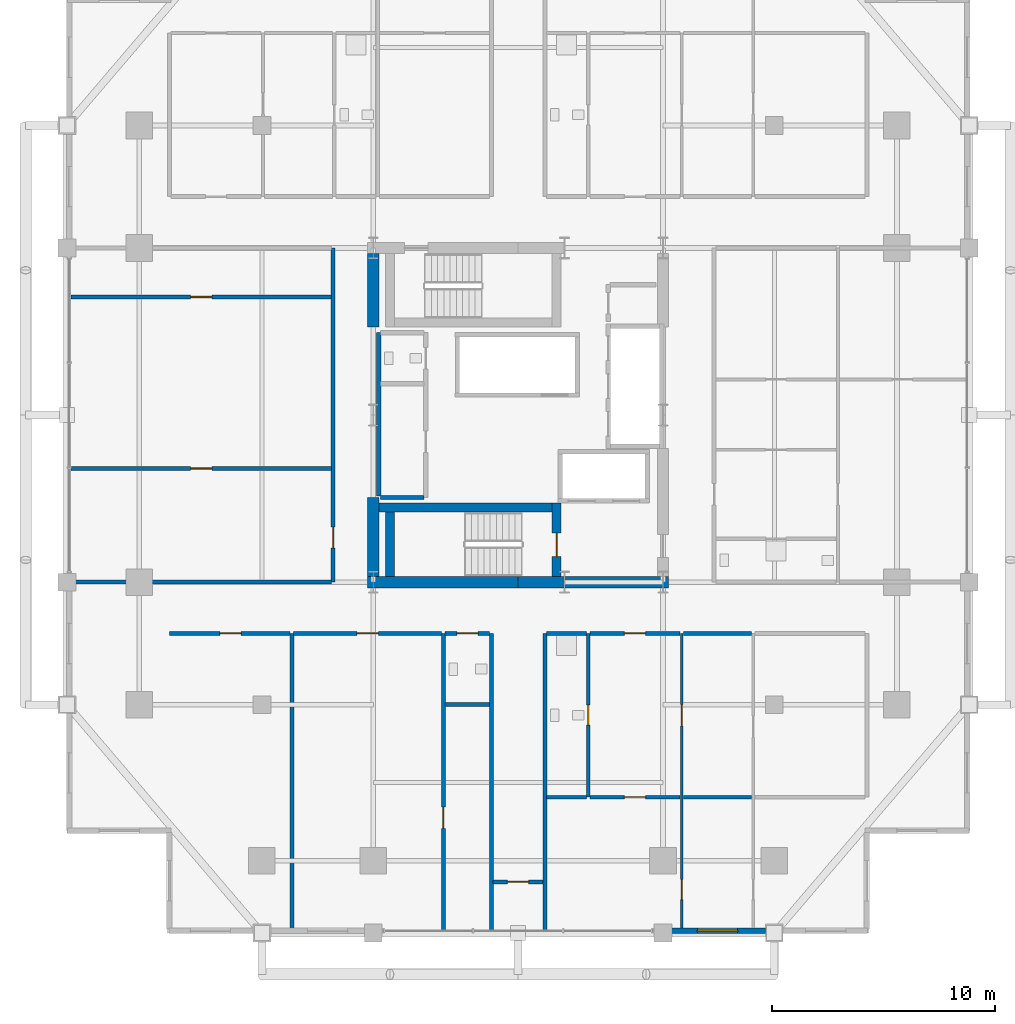
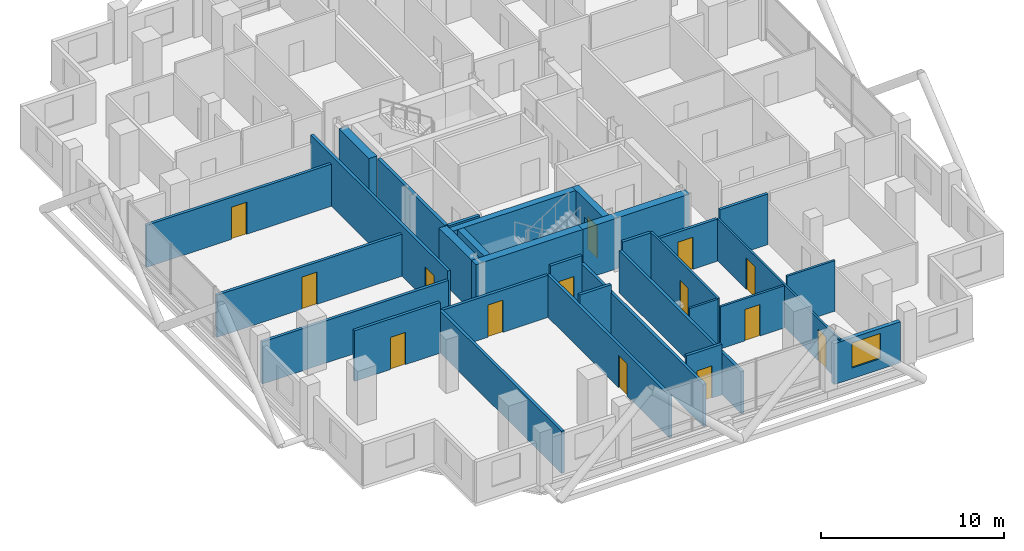
# One storey, part 19 of 25: 31 walls, 14 doors, 1 window, 15 openings.
"""IFC4 building model written with IfcOpenShell, lengths in metres."""

from ifc_helpers import new_model, si_unit, direction, frame, frame_2d, origin, place, context, subcontext, project, spatial, rectangle, extrude, material, layer, layer_set, type_object, element, fill, save


model = new_model("IFC4")

# Units and contexts
model_context = context("Model", 3, precision=1e-05, world=origin(), true_north=direction((0.0, 1.0)))
body_context = subcontext(model_context, "Body", "Model", "MODEL_VIEW")
ifc_project = project(units=[si_unit("LENGTHUNIT", "METRE"), si_unit("AREAUNIT", "SQUARE_METRE"), si_unit("VOLUMEUNIT", "CUBIC_METRE"), si_unit("PLANEANGLEUNIT", "RADIAN"), si_unit("MASSUNIT", "GRAM", prefix="KILO")], contexts=[model_context])

# Site, building, storey
site_placement = place(None, origin())
site = spatial("IfcSite", under=ifc_project, at=site_placement, CompositionType="ELEMENT")
building_placement = place(site_placement, origin())
building = spatial("IfcBuilding", under=site, at=building_placement, Name="Barlavira Tower and Art Museum", CompositionType="ELEMENT")
storey_placement = place(building_placement, frame((0.0, 0.0, 144.0)))
storey = spatial("IfcBuildingStorey", under=building, at=storey_placement, Name="L36", CompositionType="ELEMENT", Elevation=144.0)

# Wall, openings, doors
ifc_material_1 = material(Name="Gypsum acoustic stud partition", Category="gypsum")
ifc_layer_1 = layer(ifc_material_1, 0.1201171875, Name="Gypsum acoustic stud partition")
ifc_layer_set_1 = layer_set([ifc_layer_1], Name="Gypsum acoustic stud partition")
wall_type_1 = type_object("IfcWallType", Name="Apartment Internal Acoustic Partition 120", PredefinedType="PARTITIONING", material=ifc_layer_set_1)
wall_1_placement = place(storey_placement, frame((7.35009765625, -23.14990234375, 0.0), z_axis=(0.0, 0.0, 1.0), x_axis=(0.0, 1.0, 0.0)))
wall_1 = element("IfcWall", 1, at=wall_1_placement, inside=storey, type_object=wall_type_1, Name="L36 Partition Wall 17", PredefinedType="PARTITIONING", context=body_context, shape_type="SweptSolid", body=[
    extrude(rectangle(XDim=13.349853515625, YDim=0.1201171875, at=frame_2d((6.6748046875, 0.0))), origin(), (0.0, 0.0, 1.0), 2.81591796875),
])
opening_1_placement = place(wall_1_placement, frame((9.205078125, 0.0, 0.0)))
opening_1 = element("IfcOpeningElement", 2, at=opening_1_placement, cuts=wall_1, Name="Opening D-02", PredefinedType="OPENING", context=body_context, shape_type="SweptSolid", body=[
    extrude(rectangle(XDim=0.949951171875, YDim=2.10009765625, at=frame_2d((0.47509765625, 1.050048828125))), frame((0.0, 0.070068359375, 0.0), z_axis=(0.0, -1.0, 0.0), x_axis=(1.0, 0.0, 0.0)), (0.0, 0.0, 1.0), 0.14013671875),
])
opening_2_placement = place(wall_1_placement, frame((1.39892578125, 0.0, 0.0)))
opening_2 = element("IfcOpeningElement", 3, at=opening_2_placement, cuts=wall_1, Name="Opening D-01", PredefinedType="OPENING", context=body_context, shape_type="SweptSolid", body=[
    extrude(rectangle(XDim=0.89990234375, YDim=2.10009765625, at=frame_2d((0.449951171875, 1.050048828125))), frame((0.0, 0.070068359375, 0.0), z_axis=(0.0, -1.0, 0.0), x_axis=(1.0, 0.0, 0.0)), (0.0, 0.0, 1.0), 0.14013671875),
])
ifc_material_2 = material(Name="Engineered coastal hardwood", Category="wood")
door_type_1 = type_object("IfcDoorType", Name="Internal Bedroom Timber Flush Door 900x2100", OperationType="NOTDEFINED", PredefinedType="DOOR", material=ifc_material_2)
door_1_placement = place(opening_2_placement, origin())
door_1 = element("IfcDoor", 4, at=door_1_placement, inside=storey, type_object=door_type_1, Name="Apartment SE1 Bedroom 1 Door", OperationType="SINGLE_SWING_RIGHT", OverallHeight=2.10009765625, OverallWidth=0.89990234375, PredefinedType="DOOR", context=body_context, shape_type="SweptSolid", body=[
    extrude(rectangle(XDim=0.89990234375, YDim=2.10009765625, at=frame_2d((0.449951171875, 1.050048828125))), frame((0.0, 0.02490234375, 0.0), z_axis=(0.0, -1.0, 0.0), x_axis=(1.0, 0.0, 0.0)), (0.0, 0.0, 1.0), 0.050048828125),
])
fill(opening_2, door_1)
door_type_2 = type_object("IfcDoorType", Name="Living and Salon Glazed-Leaf Door 950x2100", OperationType="NOTDEFINED", PredefinedType="DOOR", material=ifc_material_2)
door_2_placement = place(opening_1_placement, origin())
door_2 = element("IfcDoor", 5, at=door_2_placement, inside=storey, type_object=door_type_2, Name="Apartment SE1 Kitchen Door", OperationType="SINGLE_SWING_LEFT", OverallHeight=2.10009765625, OverallWidth=0.949951171875, PredefinedType="DOOR", context=body_context, shape_type="SweptSolid", body=[
    extrude(rectangle(XDim=0.949951171875, YDim=2.10009765625, at=frame_2d((0.47509765625, 1.050048828125))), frame((0.0, 0.02490234375, 0.0), z_axis=(0.0, -1.0, 0.0), x_axis=(1.0, 0.0, 0.0)), (0.0, 0.0, 1.0), 0.050048828125),
])
fill(opening_1, door_2)

# Walls
ifc_material_3 = material(Name="Concrete C60", Category="concrete")
ifc_layer_2 = layer(ifc_material_3, 0.5, Name="Concrete C60")
ifc_layer_set_2 = layer_set([ifc_layer_2], Name="Concrete C60")
wall_type_2 = type_object("IfcWallType", Name="Core Structural Shear Wall 500 Concrete C60", PredefinedType="SHEAR", material=ifc_layer_set_2)
for number, where, z_axis, x_axis, name in (
    (6, (-6.75, -7.5, 0.0), (0.0, 0.0, 1.0), (1.0, 0.0, 0.0), "L36 Core Shear Wall CS-SW"),
    (7, (0.0, -7.5, 0.0), (0.0, 0.0, 1.0), (1.0, 0.0, 0.0), "L36 Core Shear Wall CS-SE"),
):
    element("IfcWall", number, at=place(storey_placement, frame(where, z_axis=z_axis, x_axis=x_axis)), inside=storey, type_object=wall_type_2, Name=name, PredefinedType="SHEAR", context=body_context, shape_type="SweptSolid", body=[
        extrude(rectangle(XDim=6.75, YDim=0.5, at=frame_2d((3.375, 0.0))), origin(), (0.0, 0.0, 1.0), 3.3798828125),
    ])
wall_2_placement = place(storey_placement, frame((-6.5, -7.25, 0.0), z_axis=(0.0, 0.0, 1.0), x_axis=(0.0, 1.0, 0.0)))
element("IfcWall", 8, at=wall_2_placement, inside=storey, type_object=wall_type_2, Name="L36 Core Shear Wall CS-W1", PredefinedType="SHEAR", context=body_context, shape_type="SweptSolid", body=[
    extrude(rectangle(XDim=3.550048828125, YDim=0.5, at=frame_2d((1.77490234375, 0.0))), origin(), (0.0, 0.0, 1.0), 3.3798828125),
])
wall_3_placement = place(storey_placement, frame((-6.5, 3.949951171875, 0.0), z_axis=(0.0, 0.0, 1.0), x_axis=(0.0, 1.0, 0.0)))
element("IfcWall", 9, at=wall_3_placement, inside=storey, type_object=wall_type_2, Name="L36 Core Shear Wall CS-W2", PredefinedType="SHEAR", context=body_context, shape_type="SweptSolid", body=[
    extrude(rectangle(XDim=3.300048828125, YDim=0.5, at=frame_2d((1.64990234375, 0.0))), origin(), (0.0, 0.0, 1.0), 3.3798828125),
])
ifc_material_4 = material(Name="Autoclaved aerated concrete masonry", Category="masonry")
ifc_layer_3 = layer(ifc_material_4, 0.199951171875, Name="Autoclaved aerated concrete masonry")
ifc_layer_set_3 = layer_set([ifc_layer_3], Name="Autoclaved aerated concrete masonry")
wall_type_3 = type_object("IfcWallType", Name="Fire Compartment and Shaft Wall 200", PredefinedType="SOLIDWALL", material=ifc_layer_set_3)
wall_4_placement = place(storey_placement, frame((-6.25, -3.639892578125, 0.0), z_axis=(0.0, 0.0, 1.0), x_axis=(0.0, 1.0, 0.0)))
element("IfcWall", 10, at=wall_4_placement, inside=storey, type_object=wall_type_3, Name="L36 Partition Wall 7", PredefinedType="SOLIDWALL", context=body_context, shape_type="SweptSolid", body=[
    extrude(rectangle(XDim=7.33984375, YDim=0.199951171875, at=frame_2d((3.669921875, 0.0))), origin(), (0.0, 0.0, 1.0), 3.3798828125),
])
wall_5_placement = place(storey_placement, frame((-6.169921875, -3.699951171875, 0.0), z_axis=(0.0, 0.0, 1.0), x_axis=(1.0, 0.0, 0.0)))
element("IfcWall", 11, at=wall_5_placement, inside=storey, type_object=wall_type_3, Name="L36 Partition Wall 42", PredefinedType="SOLIDWALL", context=body_context, shape_type="SweptSolid", body=[
    extrude(rectangle(XDim=1.93994140625, YDim=0.199951171875, at=frame_2d((0.969970703125, 0.0))), origin(), (0.0, 0.0, 1.0), 3.3798828125),
])
ifc_layer_4 = layer(ifc_material_1, 0.179931640625, Name="Gypsum acoustic stud partition")
ifc_layer_set_4 = layer_set([ifc_layer_4], Name="Gypsum acoustic stud partition")
wall_type_4 = type_object("IfcWallType", Name="Inter-Tenancy Party Partition Wall 180", PredefinedType="PARTITIONING", material=ifc_layer_set_4)
wall_6_placement = place(storey_placement, frame((-10.14990234375, -23.14990234375, 0.0), z_axis=(0.0, 0.0, 1.0), x_axis=(0.0, 1.0, 0.0)))
element("IfcWall", 12, at=wall_6_placement, inside=storey, type_object=wall_type_4, Name="L36 Partition Wall 3", PredefinedType="PARTITIONING", context=body_context, shape_type="SweptSolid", body=[
    extrude(rectangle(XDim=13.349853515625, YDim=0.179931640625, at=frame_2d((6.6748046875, 0.0))), origin(), (0.0, 0.0, 1.0), 2.81591796875),
])

# Wall, opening, door
wall_7_placement = place(storey_placement, frame((-8.300048828125, -7.5, 0.0), z_axis=(0.0, 0.0, 1.0), x_axis=(0.0, 1.0, 0.0)))
wall_7 = element("IfcWall", 13, at=wall_7_placement, inside=storey, type_object=wall_type_4, Name="L36 Partition Wall 4", PredefinedType="PARTITIONING", context=body_context, shape_type="SweptSolid", body=[
    extrude(rectangle(XDim=15.0, YDim=0.179931640625, at=frame_2d((7.5, 0.0))), origin(), (0.0, 0.0, 1.0), 3.3798828125),
])
opening_3_placement = place(wall_7_placement, frame((1.52490234375, 0.0, 0.0)))
opening_3 = element("IfcOpeningElement", 14, at=opening_3_placement, cuts=wall_7, Name="Opening FD-60", PredefinedType="OPENING", context=body_context, shape_type="SweptSolid", body=[
    extrude(rectangle(XDim=0.949951171875, YDim=2.14990234375, at=frame_2d((0.47509765625, 1.074951171875))), frame((0.0, 0.10009765625, 0.0), z_axis=(0.0, -1.0, 0.0), x_axis=(1.0, 0.0, 0.0)), (0.0, 0.0, 1.0), 0.199951171875),
])
ifc_material_5 = material(Name="Brushed stainless steel", Category="steel")
door_type_3 = type_object("IfcDoorType", Name="Apartment Entrance and Riser Fire Door 950x2150 FD60S", OperationType="NOTDEFINED", PredefinedType="DOOR", material=ifc_material_5)
door_3_placement = place(opening_3_placement, origin())
door_3 = element("IfcDoor", 15, at=door_3_placement, inside=storey, type_object=door_type_3, Name="Resident Sky Coworking Studio Door", OperationType="SINGLE_SWING_LEFT", OverallHeight=2.14990234375, OverallWidth=0.949951171875, PredefinedType="DOOR", context=body_context, shape_type="SweptSolid", body=[
    extrude(rectangle(XDim=0.949951171875, YDim=2.14990234375, at=frame_2d((0.47509765625, 1.074951171875))), frame((0.0, 0.02490234375, 0.0), z_axis=(0.0, -1.0, 0.0), x_axis=(1.0, 0.0, 0.0)), (0.0, 0.0, 1.0), 0.050048828125),
])
fill(opening_3, door_3)

wall_8_placement = place(storey_placement, frame((-3.35009765625, -23.14990234375, 0.0), z_axis=(0.0, 0.0, 1.0), x_axis=(0.0, 1.0, 0.0)))
wall_8 = element("IfcWall", 16, at=wall_8_placement, inside=storey, type_object=wall_type_4, Name="L36 Partition Wall 9", PredefinedType="PARTITIONING", context=body_context, shape_type="SweptSolid", body=[
    extrude(rectangle(XDim=13.349853515625, YDim=0.179931640625, at=frame_2d((6.6748046875, 0.0))), origin(), (0.0, 0.0, 1.0), 2.81591796875),
])
opening_4_placement = place(wall_8_placement, frame((4.60498046875, 0.0, 0.0)))
opening_4 = element("IfcOpeningElement", 17, at=opening_4_placement, cuts=wall_8, Name="Opening FD-60", PredefinedType="OPENING", context=body_context, shape_type="SweptSolid", body=[
    extrude(rectangle(XDim=0.949951171875, YDim=2.14990234375, at=frame_2d((0.47509765625, 1.074951171875))), frame((0.0, 0.10009765625, 0.0), z_axis=(0.0, -1.0, 0.0), x_axis=(1.0, 0.0, 0.0)), (0.0, 0.0, 1.0), 0.199951171875),
])
door_4_placement = place(opening_4_placement, origin())
door_4 = element("IfcDoor", 18, at=door_4_placement, inside=storey, type_object=door_type_3, Name="Thermal Relaxation Lounge Door", OperationType="SINGLE_SWING_RIGHT", OverallHeight=2.14990234375, OverallWidth=0.949951171875, PredefinedType="DOOR", context=body_context, shape_type="SweptSolid", body=[
    extrude(rectangle(XDim=0.949951171875, YDim=2.14990234375, at=frame_2d((0.47509765625, 1.074951171875))), frame((0.0, 0.02490234375, 0.0), z_axis=(0.0, -1.0, 0.0), x_axis=(1.0, 0.0, 0.0)), (0.0, 0.0, 1.0), 0.050048828125),
])
fill(opening_4, door_4)

# Walls
for number, where, z_axis, x_axis, name in (
    (19, (-1.199951171875, -23.14990234375, 0.0), (0.0, 0.0, 1.0), (0.0, 1.0, 0.0), "L36 Partition Wall 10"),
    (20, (1.199951171875, -23.14990234375, 0.0), (0.0, 0.0, 1.0), (0.0, 1.0, 0.0), "L36 Partition Wall 12"),
):
    element("IfcWall", number, at=place(storey_placement, frame(where, z_axis=z_axis, x_axis=x_axis)), inside=storey, type_object=wall_type_4, Name=name, PredefinedType="PARTITIONING", context=body_context, shape_type="SweptSolid", body=[
        extrude(rectangle(XDim=13.349853515625, YDim=0.179931640625, at=frame_2d((6.6748046875, 0.0))), origin(), (0.0, 0.0, 1.0), 2.81591796875),
    ])

# Wall, opening, door
wall_9_placement = place(storey_placement, frame((-1.1201171875, -20.949951171875, 0.0), z_axis=(0.0, 0.0, 1.0), x_axis=(1.0, 0.0, 0.0)))
wall_9 = element("IfcWall", 21, at=wall_9_placement, inside=storey, type_object=wall_type_4, Name="L36 Partition Wall 25", PredefinedType="PARTITIONING", context=body_context, shape_type="SweptSolid", body=[
    extrude(rectangle(XDim=2.240234375, YDim=0.179931640625, at=frame_2d((1.1201171875, 0.0))), origin(), (0.0, 0.0, 1.0), 3.3798828125),
])
opening_5_placement = place(wall_9_placement, frame((0.64501953125, 0.0, 0.0)))
opening_5 = element("IfcOpeningElement", 22, at=opening_5_placement, cuts=wall_9, Name="Opening FD-60", PredefinedType="OPENING", context=body_context, shape_type="SweptSolid", body=[
    extrude(rectangle(XDim=0.949951171875, YDim=2.14990234375, at=frame_2d((0.47509765625, 1.074951171875))), frame((0.0, 0.10009765625, 0.0), z_axis=(0.0, -1.0, 0.0), x_axis=(1.0, 0.0, 0.0)), (0.0, 0.0, 1.0), 0.199951171875),
])
door_5_placement = place(opening_5_placement, origin())
door_5 = element("IfcDoor", 23, at=door_5_placement, inside=storey, type_object=door_type_3, Name="L36 South Horizon Reading Alcove Door", OperationType="SINGLE_SWING_RIGHT", OverallHeight=2.14990234375, OverallWidth=0.949951171875, PredefinedType="DOOR", context=body_context, shape_type="SweptSolid", body=[
    extrude(rectangle(XDim=0.949951171875, YDim=2.14990234375, at=frame_2d((0.47509765625, 1.074951171875))), frame((0.0, 0.02490234375, 0.0), z_axis=(0.0, -1.0, 0.0), x_axis=(1.0, 0.0, 0.0)), (0.0, 0.0, 1.0), 0.050048828125),
])
fill(opening_5, door_5)

# Wall
wall_10_placement = place(storey_placement, frame((-3.27001953125, -13.0, 0.0), z_axis=(0.0, 0.0, 1.0), x_axis=(1.0, 0.0, 0.0)))
element("IfcWall", 24, at=wall_10_placement, inside=storey, type_object=wall_type_4, Name="L36 Partition Wall 30", PredefinedType="PARTITIONING", context=body_context, shape_type="SweptSolid", body=[
    extrude(rectangle(XDim=1.989990234375, YDim=0.179931640625, at=frame_2d((0.9951171875, 0.0))), origin(), (0.0, 0.0, 1.0), 3.3798828125),
])

# Wall, opening, door
wall_11_placement = place(storey_placement, frame((-15.64990234375, -9.800048828125, 0.0), z_axis=(0.0, 0.0, 1.0), x_axis=(1.0, 0.0, 0.0)))
wall_11 = element("IfcWall", 25, at=wall_11_placement, inside=storey, type_object=wall_type_4, Name="L36 Partition Wall 31", PredefinedType="PARTITIONING", context=body_context, shape_type="SweptSolid", body=[
    extrude(rectangle(XDim=5.419921875, YDim=0.179931640625, at=frame_2d((2.7099609375, 0.0))), origin(), (0.0, 0.0, 1.0), 3.3798828125),
])
opening_6_placement = place(wall_11_placement, frame((2.264892578125, 0.0, 0.0)))
opening_6 = element("IfcOpeningElement", 26, at=opening_6_placement, cuts=wall_11, Name="Opening FD-60", PredefinedType="OPENING", context=body_context, shape_type="SweptSolid", body=[
    extrude(rectangle(XDim=0.949951171875, YDim=2.14990234375, at=frame_2d((0.47509765625, 1.074951171875))), frame((0.0, 0.10009765625, 0.0), z_axis=(0.0, -1.0, 0.0), x_axis=(1.0, 0.0, 0.0)), (0.0, 0.0, 1.0), 0.199951171875),
])
door_6_placement = place(opening_6_placement, origin())
door_6 = element("IfcDoor", 27, at=door_6_placement, inside=storey, type_object=door_type_3, Name="Resident Ocean-View Fitness Studio Door", OperationType="SINGLE_SWING_LEFT", OverallHeight=2.14990234375, OverallWidth=0.949951171875, PredefinedType="DOOR", context=body_context, shape_type="SweptSolid", body=[
    extrude(rectangle(XDim=0.949951171875, YDim=2.14990234375, at=frame_2d((0.47509765625, 1.074951171875))), frame((0.0, 0.02490234375, 0.0), z_axis=(0.0, -1.0, 0.0), x_axis=(1.0, 0.0, 0.0)), (0.0, 0.0, 1.0), 0.050048828125),
])
fill(opening_6, door_6)

wall_12_placement = place(storey_placement, frame((-10.070068359375, -9.800048828125, 0.0), z_axis=(0.0, 0.0, 1.0), x_axis=(1.0, 0.0, 0.0)))
wall_12 = element("IfcWall", 28, at=wall_12_placement, inside=storey, type_object=wall_type_4, Name="L36 Partition Wall 32", PredefinedType="PARTITIONING", context=body_context, shape_type="SweptSolid", body=[
    extrude(rectangle(XDim=6.64013671875, YDim=0.179931640625, at=frame_2d((3.320068359375, 0.0))), origin(), (0.0, 0.0, 1.0), 2.81591796875),
])
opening_7_placement = place(wall_12_placement, frame((2.844970703125, 0.0, 0.0)))
opening_7 = element("IfcOpeningElement", 29, at=opening_7_placement, cuts=wall_12, Name="Opening FD-60", PredefinedType="OPENING", context=body_context, shape_type="SweptSolid", body=[
    extrude(rectangle(XDim=0.949951171875, YDim=2.14990234375, at=frame_2d((0.47509765625, 1.074951171875))), frame((0.0, 0.10009765625, 0.0), z_axis=(0.0, -1.0, 0.0), x_axis=(1.0, 0.0, 0.0)), (0.0, 0.0, 1.0), 0.199951171875),
])
door_7_placement = place(opening_7_placement, origin())
door_7 = element("IfcDoor", 30, at=door_7_placement, inside=storey, type_object=door_type_3, Name="Coastal Hydrotherapy and Yoga Lounge Door", OperationType="SINGLE_SWING_RIGHT", OverallHeight=2.14990234375, OverallWidth=0.949951171875, PredefinedType="DOOR", context=body_context, shape_type="SweptSolid", body=[
    extrude(rectangle(XDim=0.949951171875, YDim=2.14990234375, at=frame_2d((0.47509765625, 1.074951171875))), frame((0.0, 0.02490234375, 0.0), z_axis=(0.0, -1.0, 0.0), x_axis=(1.0, 0.0, 0.0)), (0.0, 0.0, 1.0), 0.050048828125),
])
fill(opening_7, door_7)

wall_13_placement = place(storey_placement, frame((-3.27001953125, -9.800048828125, 0.0), z_axis=(0.0, 0.0, 1.0), x_axis=(1.0, 0.0, 0.0)))
wall_13 = element("IfcWall", 31, at=wall_13_placement, inside=storey, type_object=wall_type_4, Name="L36 Partition Wall 33", PredefinedType="PARTITIONING", context=body_context, shape_type="SweptSolid", body=[
    extrude(rectangle(XDim=1.989990234375, YDim=0.179931640625, at=frame_2d((0.9951171875, 0.0))), origin(), (0.0, 0.0, 1.0), 3.3798828125),
])
opening_8_placement = place(wall_13_placement, frame((0.52490234375, 0.0, 0.0)))
opening_8 = element("IfcOpeningElement", 32, at=opening_8_placement, cuts=wall_13, Name="Opening FD-60", PredefinedType="OPENING", context=body_context, shape_type="SweptSolid", body=[
    extrude(rectangle(XDim=0.949951171875, YDim=2.14990234375, at=frame_2d((0.47509765625, 1.074951171875))), frame((0.0, 0.10009765625, 0.0), z_axis=(0.0, -1.0, 0.0), x_axis=(1.0, 0.0, 0.0)), (0.0, 0.0, 1.0), 0.199951171875),
])
door_8_placement = place(opening_8_placement, origin())
door_8 = element("IfcDoor", 33, at=door_8_placement, inside=storey, type_object=door_type_3, Name="Wellness Changing and Accessible Shower WC Door", OperationType="SINGLE_SWING_LEFT", OverallHeight=2.14990234375, OverallWidth=0.949951171875, PredefinedType="DOOR", context=body_context, shape_type="SweptSolid", body=[
    extrude(rectangle(XDim=0.949951171875, YDim=2.14990234375, at=frame_2d((0.47509765625, 1.074951171875))), frame((0.0, 0.02490234375, 0.0), z_axis=(0.0, -1.0, 0.0), x_axis=(1.0, 0.0, 0.0)), (0.0, 0.0, 1.0), 0.050048828125),
])
fill(opening_8, door_8)

# Wall
wall_14_placement = place(storey_placement, frame((1.280029296875, -9.800048828125, 0.0), z_axis=(0.0, 0.0, 1.0), x_axis=(1.0, 0.0, 0.0)))
element("IfcWall", 34, at=wall_14_placement, inside=storey, type_object=wall_type_4, Name="L36 Partition Wall 34", PredefinedType="PARTITIONING", context=body_context, shape_type="SweptSolid", body=[
    extrude(rectangle(XDim=1.7900390625, YDim=0.179931640625, at=frame_2d((0.89501953125, 0.0))), origin(), (0.0, 0.0, 1.0), 3.3798828125),
])

# Wall, opening, door
wall_15_placement = place(storey_placement, frame((3.22998046875, -9.800048828125, 0.0), z_axis=(0.0, 0.0, 1.0), x_axis=(1.0, 0.0, 0.0)))
wall_15 = element("IfcWall", 35, at=wall_15_placement, inside=storey, type_object=wall_type_4, Name="L36 Partition Wall 35", PredefinedType="PARTITIONING", context=body_context, shape_type="SweptSolid", body=[
    extrude(rectangle(XDim=4.0400390625, YDim=0.179931640625, at=frame_2d((2.02001953125, 0.0))), origin(), (0.0, 0.0, 1.0), 2.81591796875),
])
opening_9_placement = place(wall_15_placement, frame((1.544921875, 0.0, 0.0)))
opening_9 = element("IfcOpeningElement", 36, at=opening_9_placement, cuts=wall_15, Name="Opening FD-60", PredefinedType="OPENING", context=body_context, shape_type="SweptSolid", body=[
    extrude(rectangle(XDim=0.949951171875, YDim=2.14990234375, at=frame_2d((0.47509765625, 1.074951171875))), frame((0.0, 0.10009765625, 0.0), z_axis=(0.0, -1.0, 0.0), x_axis=(1.0, 0.0, 0.0)), (0.0, 0.0, 1.0), 0.199951171875),
])
door_9_placement = place(opening_9_placement, origin())
door_9 = element("IfcDoor", 37, at=door_9_placement, inside=storey, type_object=door_type_3, Name="Apartment Entrance Hall SE1 Door", OperationType="SINGLE_SWING_RIGHT", OverallHeight=2.14990234375, OverallWidth=0.949951171875, PredefinedType="DOOR", context=body_context, shape_type="SweptSolid", body=[
    extrude(rectangle(XDim=0.949951171875, YDim=2.14990234375, at=frame_2d((0.47509765625, 1.074951171875))), frame((0.0, 0.02490234375, 0.0), z_axis=(0.0, -1.0, 0.0), x_axis=(1.0, 0.0, 0.0)), (0.0, 0.0, 1.0), 0.050048828125),
])
fill(opening_9, door_9)

# Walls
wall_16_placement = place(storey_placement, frame((7.429931640625, -9.800048828125, 0.0), z_axis=(0.0, 0.0, 1.0), x_axis=(1.0, 0.0, 0.0)))
element("IfcWall", 38, at=wall_16_placement, inside=storey, type_object=wall_type_4, Name="L36 Partition Wall 36", PredefinedType="PARTITIONING", context=body_context, shape_type="SweptSolid", body=[
    extrude(rectangle(XDim=3.0400390625, YDim=0.179931640625, at=frame_2d((1.52001953125, 0.0))), origin(), (0.0, 0.0, 1.0), 3.3798828125),
])
wall_17_placement = place(storey_placement, frame((-20.14990234375, -7.5, 0.0), z_axis=(0.0, 0.0, 1.0), x_axis=(1.0, 0.0, 0.0)))
element("IfcWall", 39, at=wall_17_placement, inside=storey, type_object=wall_type_4, Name="L36 Partition Wall 38", PredefinedType="PARTITIONING", context=body_context, shape_type="SweptSolid", body=[
    extrude(rectangle(XDim=11.77001953125, YDim=0.179931640625, at=frame_2d((5.885009765625, 0.0))), origin(), (0.0, 0.0, 1.0), 2.81591796875),
])

# Wall, opening, door
wall_18_placement = place(storey_placement, frame((-20.070068359375, -2.39990234375, 0.0), z_axis=(0.0, 0.0, 1.0), x_axis=(1.0, 0.0, 0.0)))
wall_18 = element("IfcWall", 40, at=wall_18_placement, inside=storey, type_object=wall_type_4, Name="L36 Partition Wall 43", PredefinedType="PARTITIONING", context=body_context, shape_type="SweptSolid", body=[
    extrude(rectangle(XDim=11.690185546875, YDim=0.179931640625, at=frame_2d((5.84521484375, 0.0))), origin(), (0.0, 0.0, 1.0), 2.81591796875),
])
opening_10_placement = place(wall_18_placement, frame((5.375, 0.0, 0.0)))
opening_10 = element("IfcOpeningElement", 41, at=opening_10_placement, cuts=wall_18, Name="Opening FD-60", PredefinedType="OPENING", context=body_context, shape_type="SweptSolid", body=[
    extrude(rectangle(XDim=0.949951171875, YDim=2.14990234375, at=frame_2d((0.47509765625, 1.074951171875))), frame((0.0, 0.10009765625, 0.0), z_axis=(0.0, -1.0, 0.0), x_axis=(1.0, 0.0, 0.0)), (0.0, 0.0, 1.0), 0.199951171875),
])
door_10_placement = place(opening_10_placement, origin())
door_10 = element("IfcDoor", 42, at=door_10_placement, inside=storey, type_object=door_type_3, Name="Atlantic Horizon Boardroom Door", OperationType="SINGLE_SWING_RIGHT", OverallHeight=2.14990234375, OverallWidth=0.949951171875, PredefinedType="DOOR", context=body_context, shape_type="SweptSolid", body=[
    extrude(rectangle(XDim=0.949951171875, YDim=2.14990234375, at=frame_2d((0.47509765625, 1.074951171875))), frame((0.0, 0.02490234375, 0.0), z_axis=(0.0, -1.0, 0.0), x_axis=(1.0, 0.0, 0.0)), (0.0, 0.0, 1.0), 0.050048828125),
])
fill(opening_10, door_10)

wall_19_placement = place(storey_placement, frame((-20.070068359375, 5.300048828125, 0.0), z_axis=(0.0, 0.0, 1.0), x_axis=(1.0, 0.0, 0.0)))
wall_19 = element("IfcWall", 43, at=wall_19_placement, inside=storey, type_object=wall_type_4, Name="L36 Partition Wall 49", PredefinedType="PARTITIONING", context=body_context, shape_type="SweptSolid", body=[
    extrude(rectangle(XDim=11.690185546875, YDim=0.179931640625, at=frame_2d((5.84521484375, 0.0))), origin(), (0.0, 0.0, 1.0), 2.81591796875),
])
opening_11_placement = place(wall_19_placement, frame((5.375, 0.0, 0.0)))
opening_11 = element("IfcOpeningElement", 44, at=opening_11_placement, cuts=wall_19, Name="Opening FD-60", PredefinedType="OPENING", context=body_context, shape_type="SweptSolid", body=[
    extrude(rectangle(XDim=0.949951171875, YDim=2.14990234375, at=frame_2d((0.47509765625, 1.074951171875))), frame((0.0, 0.10009765625, 0.0), z_axis=(0.0, -1.0, 0.0), x_axis=(1.0, 0.0, 0.0)), (0.0, 0.0, 1.0), 0.199951171875),
])
door_11_placement = place(opening_11_placement, origin())
door_11 = element("IfcDoor", 45, at=door_11_placement, inside=storey, type_object=door_type_3, Name="Shared Coworking Espresso Pantry Door", OperationType="SINGLE_SWING_LEFT", OverallHeight=2.14990234375, OverallWidth=0.949951171875, PredefinedType="DOOR", context=body_context, shape_type="SweptSolid", body=[
    extrude(rectangle(XDim=0.949951171875, YDim=2.14990234375, at=frame_2d((0.47509765625, 1.074951171875))), frame((0.0, 0.02490234375, 0.0), z_axis=(0.0, -1.0, 0.0), x_axis=(1.0, 0.0, 0.0)), (0.0, 0.0, 1.0), 0.050048828125),
])
fill(opening_11, door_11)

ifc_layer_5 = layer(ifc_material_1, 0.139892578125, Name="Gypsum acoustic stud partition")
ifc_layer_set_5 = layer_set([ifc_layer_5], Name="Gypsum acoustic stud partition")
wall_type_5 = type_object("IfcWallType", Name="Moisture-Resistant Bathroom Partition 140", PredefinedType="PARTITIONING", material=ifc_layer_set_5)
wall_20_placement = place(storey_placement, frame((3.14990234375, -17.14990234375, 0.0), z_axis=(0.0, 0.0, 1.0), x_axis=(0.0, 1.0, 0.0)))
wall_20 = element("IfcWall", 46, at=wall_20_placement, inside=storey, type_object=wall_type_5, Name="L36 Partition Wall 14", PredefinedType="PARTITIONING", context=body_context, shape_type="SweptSolid", body=[
    extrude(rectangle(XDim=7.349853515625, YDim=0.139892578125, at=frame_2d((3.6748046875, 0.0))), origin(), (0.0, 0.0, 1.0), 3.3798828125),
])
opening_12_placement = place(wall_20_placement, frame((3.22998046875, 0.0, 0.0)))
opening_12 = element("IfcOpeningElement", 47, at=opening_12_placement, cuts=wall_20, Name="Opening D-WC", PredefinedType="OPENING", context=body_context, shape_type="SweptSolid", body=[
    extrude(rectangle(XDim=0.89990234375, YDim=2.10009765625, at=frame_2d((0.449951171875, 1.050048828125))), frame((0.0, 0.080078125, 0.0), z_axis=(0.0, -1.0, 0.0), x_axis=(1.0, 0.0, 0.0)), (0.0, 0.0, 1.0), 0.159912109375),
])
door_type_4 = type_object("IfcDoorType", Name="Accessible Bathroom Flush Door 900x2100", OperationType="NOTDEFINED", PredefinedType="DOOR", material=ifc_material_2)
door_12_placement = place(opening_12_placement, origin())
door_12 = element("IfcDoor", 48, at=door_12_placement, inside=storey, type_object=door_type_4, Name="Apartment SE1 Hall Bathroom Door", OperationType="SINGLE_SWING_LEFT", OverallHeight=2.10009765625, OverallWidth=0.89990234375, PredefinedType="DOOR", context=body_context, shape_type="SweptSolid", body=[
    extrude(rectangle(XDim=0.89990234375, YDim=2.10009765625, at=frame_2d((0.449951171875, 1.050048828125))), frame((0.0, 0.02490234375, 0.0), z_axis=(0.0, -1.0, 0.0), x_axis=(1.0, 0.0, 0.0)), (0.0, 0.0, 1.0), 0.050048828125),
])
fill(opening_12, door_12)

# Wall
wall_21_placement = place(storey_placement, frame((1.280029296875, -17.14990234375, 0.0), z_axis=(0.0, 0.0, 1.0), x_axis=(1.0, 0.0, 0.0)))
element("IfcWall", 49, at=wall_21_placement, inside=storey, type_object=wall_type_5, Name="L36 Partition Wall 26", PredefinedType="PARTITIONING", context=body_context, shape_type="SweptSolid", body=[
    extrude(rectangle(XDim=1.7900390625, YDim=0.139892578125, at=frame_2d((0.89501953125, 0.0))), origin(), (0.0, 0.0, 1.0), 3.3798828125),
])

# Wall, opening, door
wall_22_placement = place(storey_placement, frame((3.22998046875, -17.14990234375, 0.0), z_axis=(0.0, 0.0, 1.0), x_axis=(1.0, 0.0, 0.0)))
wall_22 = element("IfcWall", 50, at=wall_22_placement, inside=storey, type_object=wall_type_5, Name="L36 Partition Wall 27", PredefinedType="PARTITIONING", context=body_context, shape_type="SweptSolid", body=[
    extrude(rectangle(XDim=4.0400390625, YDim=0.139892578125, at=frame_2d((2.02001953125, 0.0))), origin(), (0.0, 0.0, 1.0), 2.81591796875),
])
opening_13_placement = place(wall_22_placement, frame((1.544921875, 0.0, 0.0)))
opening_13 = element("IfcOpeningElement", 51, at=opening_13_placement, cuts=wall_22, Name="Opening D-02", PredefinedType="OPENING", context=body_context, shape_type="SweptSolid", body=[
    extrude(rectangle(XDim=0.949951171875, YDim=2.10009765625, at=frame_2d((0.47509765625, 1.050048828125))), frame((0.0, 0.080078125, 0.0), z_axis=(0.0, -1.0, 0.0), x_axis=(1.0, 0.0, 0.0)), (0.0, 0.0, 1.0), 0.159912109375),
])
door_13_placement = place(opening_13_placement, origin())
door_13 = element("IfcDoor", 52, at=door_13_placement, inside=storey, type_object=door_type_2, Name="Apartment SE1 Living Lounge Door", OperationType="SINGLE_SWING_LEFT", OverallHeight=2.10009765625, OverallWidth=0.949951171875, PredefinedType="DOOR", context=body_context, shape_type="SweptSolid", body=[
    extrude(rectangle(XDim=0.949951171875, YDim=2.10009765625, at=frame_2d((0.47509765625, 1.050048828125))), frame((0.0, 0.02490234375, 0.0), z_axis=(0.0, -1.0, 0.0), x_axis=(1.0, 0.0, 0.0)), (0.0, 0.0, 1.0), 0.050048828125),
])
fill(opening_13, door_13)

# Wall
wall_23_placement = place(storey_placement, frame((7.429931640625, -17.14990234375, 0.0), z_axis=(0.0, 0.0, 1.0), x_axis=(1.0, 0.0, 0.0)))
element("IfcWall", 53, at=wall_23_placement, inside=storey, type_object=wall_type_5, Name="L36 Partition Wall 28", PredefinedType="PARTITIONING", context=body_context, shape_type="SweptSolid", body=[
    extrude(rectangle(XDim=3.0400390625, YDim=0.139892578125, at=frame_2d((1.52001953125, 0.0))), origin(), (0.0, 0.0, 1.0), 3.3798828125),
])

# Wall, opening, window
ifc_material_6 = material(Name="Precast concrete C40", Category="concrete")
ifc_layer_6 = layer(ifc_material_6, 0.25, Name="Precast concrete C40")
ifc_layer_set_6 = layer_set([ifc_layer_6], Name="Precast concrete C40")
wall_type_6 = type_object("IfcWallType", Name="Notched Corner Spandrel Wall 250 Precast Concrete C40", PredefinedType="SOLIDWALL", material=ifc_layer_set_6)
wall_24_placement = place(storey_placement, frame((6.89501953125, -23.14990234375, 0.0), z_axis=(0.0, 0.0, 1.0), x_axis=(1.0, 0.0, 0.0)))
wall_24 = element("IfcWall", 54, at=wall_24_placement, inside=storey, type_object=wall_type_6, Name="L36 Coastal Facade Pier Wall CW2-L36-S-4", PredefinedType="SOLIDWALL", context=body_context, shape_type="SweptSolid", body=[
    extrude(rectangle(XDim=4.2099609375, YDim=0.25, at=frame_2d((2.10498046875, 0.0))), origin(), (0.0, 0.0, 1.0), 2.736083984375),
])
opening_14_placement = place(wall_24_placement, frame((1.155029296875, 0.0, 0.719970703125)))
opening_14 = element("IfcOpeningElement", 55, at=opening_14_placement, cuts=wall_24, Name="Opening WN-01", PredefinedType="OPENING", context=body_context, shape_type="SweptSolid", body=[
    extrude(rectangle(XDim=1.800048828125, YDim=1.679931640625, at=frame_2d((0.89990234375, 0.83984375))), frame((0.0, 0.135009765625, 0.0), z_axis=(0.0, -1.0, 0.0), x_axis=(1.0, 0.0, 0.0)), (0.0, 0.0, 1.0), 0.27001953125),
])
ifc_material_7 = material(Name="Low-iron coastal laminated glass", Category="glass")
window_type = type_object("IfcWindowType", Name="Recessed Notch Corner Punch Window 1800x1680", PartitioningType="SINGLE_PANEL", PredefinedType="WINDOW", material=ifc_material_7)
window_placement = place(opening_14_placement, origin())
window = element("IfcWindow", 56, at=window_placement, inside=storey, type_object=window_type, Name="L36 Punched Facade Window EWP-CW2-L36-S-4-1", OverallHeight=1.679931640625, OverallWidth=1.800048828125, PartitioningType="SINGLE_PANEL", PredefinedType="WINDOW", context=body_context, shape_type="SweptSolid", body=[
    extrude(rectangle(XDim=1.800048828125, YDim=1.679931640625, at=frame_2d((0.89990234375, 0.83984375))), frame((0.0, 0.030029296875, 0.0), z_axis=(0.0, -1.0, 0.0), x_axis=(1.0, 0.0, 0.0)), (0.0, 0.0, 1.0), 0.06005859375),
])
fill(opening_14, window)

# Walls
ifc_material_8 = material(Name="Concrete C55", Category="concrete")
ifc_layer_7 = layer(ifc_material_8, 0.39990234375, Name="Concrete C55")
ifc_layer_set_7 = layer_set([ifc_layer_7], Name="Concrete C55")
wall_type_7 = type_object("IfcWallType", Name="Upper Core Shear Wall 400 Concrete C55", PredefinedType="SHEAR", material=ifc_layer_set_7)
wall_25_placement = place(storey_placement, frame((-5.75, -7.25, 0.0), z_axis=(0.0, 0.0, 1.0), x_axis=(0.0, 1.0, 0.0)))
element("IfcWall", 57, at=wall_25_placement, inside=storey, type_object=wall_type_7, Name="L36 ST-T1 West Half-Landing Wall", PredefinedType="SHEAR", context=body_context, shape_type="SweptSolid", body=[
    extrude(rectangle(XDim=2.89990234375, YDim=0.39990234375, at=frame_2d((1.449951171875, 0.0))), origin(), (0.0, 0.0, 1.0), 3.3798828125),
])
wall_26_placement = place(storey_placement, frame((-6.25, -4.14990234375, 0.0), z_axis=(0.0, 0.0, 1.0), x_axis=(1.0, 0.0, 0.0)))
element("IfcWall", 58, at=wall_26_placement, inside=storey, type_object=wall_type_7, Name="L36 ST-T1 North Shaft Wall", PredefinedType="SHEAR", context=body_context, shape_type="SweptSolid", body=[
    extrude(rectangle(XDim=7.780029296875, YDim=0.39990234375, at=frame_2d((3.89013671875, 0.0))), origin(), (0.0, 0.0, 1.0), 3.3798828125),
])

# Wall, opening, door
wall_27_placement = place(storey_placement, frame((1.72998046875, -7.25, 0.0), z_axis=(0.0, 0.0, 1.0), x_axis=(0.0, 1.0, 0.0)))
wall_27 = element("IfcWall", 59, at=wall_27_placement, inside=storey, type_object=wall_type_7, Name="L36 ST-T1 East Landing Wall", PredefinedType="SHEAR", context=body_context, shape_type="SweptSolid", body=[
    extrude(rectangle(XDim=3.300048828125, YDim=0.39990234375, at=frame_2d((1.64990234375, 0.0))), origin(), (0.0, 0.0, 1.0), 3.3798828125),
])
opening_15_placement = place(wall_27_placement, frame((0.89990234375, 0.0, 0.0)))
opening_15 = element("IfcOpeningElement", 60, at=opening_15_placement, cuts=wall_27, Name="Opening FD-90", PredefinedType="OPENING", context=body_context, shape_type="SweptSolid", body=[
    extrude(rectangle(XDim=1.050048828125, YDim=2.14990234375, at=frame_2d((0.52490234375, 1.074951171875))), frame((0.0, 0.2099609375, 0.0), z_axis=(0.0, -1.0, 0.0), x_axis=(1.0, 0.0, 0.0)), (0.0, 0.0, 1.0), 0.419921875),
])
door_type_5 = type_object("IfcDoorType", Name="Stair and Refuge Fire Door 1050x2150 FD90S", OperationType="NOTDEFINED", PredefinedType="DOOR", material=ifc_material_5)
door_14_placement = place(opening_15_placement, origin())
door_14 = element("IfcDoor", 61, at=door_14_placement, inside=storey, type_object=door_type_5, Name="L36 Stair ST-T1 Fire Door", OperationType="SINGLE_SWING_RIGHT", OverallHeight=2.14990234375, OverallWidth=1.050048828125, PredefinedType="DOOR", context=body_context, shape_type="SweptSolid", body=[
    extrude(rectangle(XDim=1.050048828125, YDim=2.14990234375, at=frame_2d((0.52490234375, 1.074951171875))), frame((0.0, 0.02490234375, 0.0), z_axis=(0.0, -1.0, 0.0), x_axis=(1.0, 0.0, 0.0)), (0.0, 0.0, 1.0), 0.050048828125),
])
fill(opening_15, door_14)

save(model, "model.ifc")
